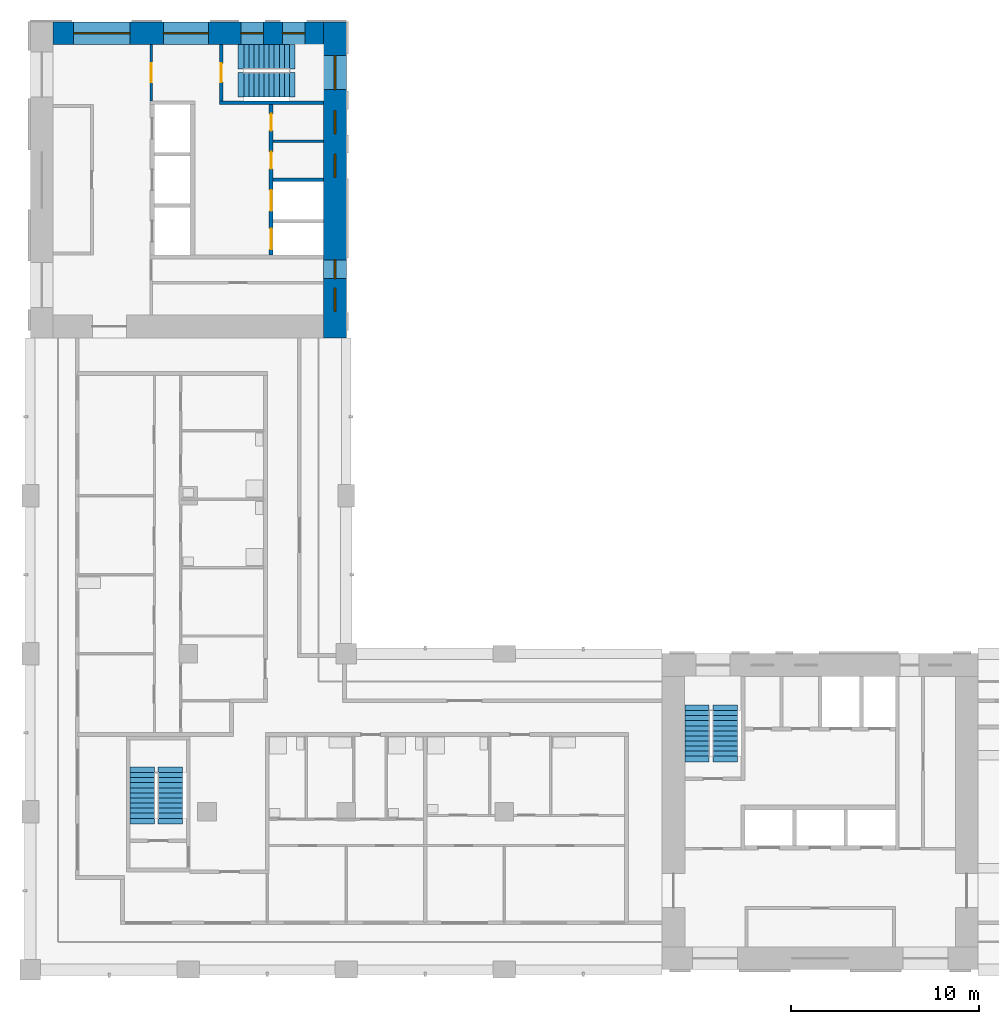
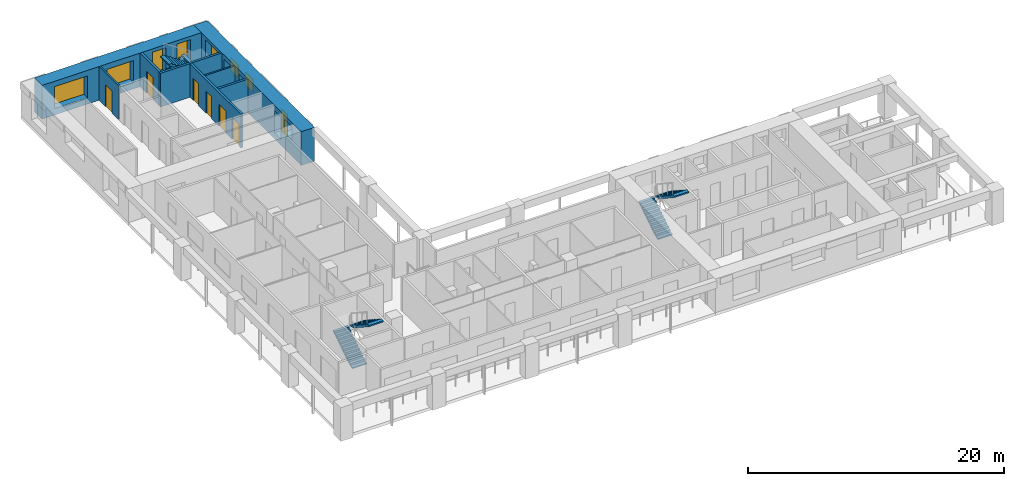
# One storey, part 6 of 10: 9 windows, 8 walls, 6 doors, 6 stair flights, 15 openings, 3 elements without a shape of their own.
"""IFC4 building model written with IfcOpenShell, lengths in metres."""

from ifc_helpers import new_model, si_unit, direction, frame, frame_2d, origin, place, context, subcontext, project, spatial, polyline, rectangle, outline, extrude, material, layer, layer_set, type_object, element, fill, aggregate, save


model = new_model("IFC4")

# Units and contexts
model_context = context("Model", 3, precision=1e-05, world=origin(), true_north=direction((0.0, 1.0)))
body_context = subcontext(model_context, "Body", "Model", "MODEL_VIEW")
ifc_project = project(units=[si_unit("LENGTHUNIT", "METRE"), si_unit("AREAUNIT", "SQUARE_METRE"), si_unit("VOLUMEUNIT", "CUBIC_METRE"), si_unit("PLANEANGLEUNIT", "RADIAN"), si_unit("MASSUNIT", "GRAM", prefix="KILO")], contexts=[model_context])

# Site, building, storey
site_placement = place(None, origin())
site = spatial("IfcSite", under=ifc_project, at=site_placement, CompositionType="ELEMENT")
building_placement = place(site_placement, origin())
building = spatial("IfcBuilding", under=site, at=building_placement, Name="Vermilion Gate Residences", CompositionType="ELEMENT")
storey_placement = place(building_placement, frame((0.0, 0.0, 175.699951171875)))
storey = spatial("IfcBuildingStorey", under=building, at=storey_placement, Name="L45", CompositionType="ELEMENT", Elevation=175.699951171875)

# Wall
ifc_material_1 = material(Name="Masonry blockwork", Category="masonry")
ifc_layer_1 = layer(ifc_material_1, 0.14990234375)
ifc_layer_set_1 = layer_set([ifc_layer_1], Name="BLOCKWORK PARTITION 150 EI 120")
wall_type_1 = type_object("IfcWallType", Name="BLOCKWORK PARTITION 150 EI 120", PredefinedType="PARTITIONING", material=ifc_layer_set_1)
wall_1_placement = place(storey_placement, frame((21.300048828125, 52.449951171875, 0.0), z_axis=(0.0, 0.0, 1.0), x_axis=(1.0, 0.0, 0.0)))
element("IfcWall", 1, at=wall_1_placement, inside=storey, type_object=wall_type_1, Name="Core room partition B45-NR-P0", PredefinedType="PARTITIONING", context=body_context, shape_type="SweptSolid", body=[
    extrude(rectangle(XDim=2.699951171875, YDim=0.14990234375, at=frame_2d((1.35009765625, 0.0))), origin(), (0.0, 0.0, 1.0), 3.219970703125),
])

# Wall, opening, door
wall_2_placement = place(storey_placement, frame((14.824951171875, 57.60009765625, 0.0), z_axis=(0.0, 0.0, 1.0), x_axis=(0.0, -1.0, 0.0)))
wall_2 = element("IfcWall", 2, at=wall_2_placement, inside=storey, type_object=wall_type_1, Name="Core room partition B45-VW-S", PredefinedType="PARTITIONING", context=body_context, shape_type="SweptSolid", body=[
    extrude(rectangle(XDim=3.0, YDim=0.14990234375, at=frame_2d((1.5, 0.0))), origin(), (0.0, 0.0, 1.0), 3.219970703125),
])
opening_1_placement = place(wall_2_placement, frame((1.0, 0.0, 0.0)))
opening_1 = element("IfcOpeningElement", 3, at=opening_1_placement, cuts=wall_2, Name="Opening DK45110", PredefinedType="OPENING", context=body_context, shape_type="SweptSolid", body=[
    extrude(rectangle(XDim=1.0, YDim=2.10009765625, at=frame_2d((0.5, 1.050048828125))), frame((0.0, 0.0849609375, 0.0), z_axis=(0.0, -1.0, 0.0), x_axis=(1.0, 0.0, 0.0)), (0.0, 0.0, 1.0), 0.169921875),
])
ifc_material_2 = material(Name="Steel", Category="steel")
door_type_1 = type_object("IfcDoorType", Name="FIRE DOOR FD60 1000 X 2100", OperationType="SINGLE_SWING_LEFT", PredefinedType="DOOR", material=ifc_material_2)
door_1_placement = place(opening_1_placement, frame((1.0, 0.0, 0.0), z_axis=(0.0, 0.0, 1.0), x_axis=(-1.0, 0.0, 0.0)))
door_1 = element("IfcDoor", 4, at=door_1_placement, inside=storey, type_object=door_type_1, Name="Stair vestibule door B45", OperationType="SINGLE_SWING_RIGHT", OverallHeight=2.10009765625, OverallWidth=1.0, PredefinedType="DOOR", context=body_context, shape_type="SweptSolid", body=[
    extrude(rectangle(XDim=1.0, YDim=2.10009765625, at=frame_2d((0.5, 1.050048828125))), frame((0.0, 0.02490234375, 0.0), z_axis=(0.0, -1.0, 0.0), x_axis=(1.0, 0.0, 0.0)), (0.0, 0.0, 1.0), 0.050048828125),
])
fill(opening_1, door_1)

# Wall
ifc_material_3 = material(Name="Concrete C60", Category="concrete")
ifc_layer_2 = layer(ifc_material_3, 0.199951171875)
ifc_layer_set_2 = layer_set([ifc_layer_2], Name="RC CORE INTERNAL WALL 200 C60")
wall_type_2 = type_object("IfcWallType", Name="RC CORE INTERNAL WALL 200 C60", PredefinedType="SHEAR", material=ifc_layer_set_2)
wall_3_placement = place(storey_placement, frame((21.300048828125, 50.39990234375, 0.0), z_axis=(0.0, 0.0, 1.0), x_axis=(1.0, 0.0, 0.0)))
element("IfcWall", 5, at=wall_3_placement, inside=storey, type_object=wall_type_2, Name="Core internal wall B45-FF-D0", PredefinedType="SHEAR", context=body_context, shape_type="SweptSolid", body=[
    extrude(rectangle(XDim=2.699951171875, YDim=0.199951171875, at=frame_2d((1.35009765625, 0.0))), origin(), (0.0, 0.0, 1.0), 3.219970703125),
])

# Wall, openings, doors
wall_4_placement = place(storey_placement, frame((21.199951171875, 54.39990234375, 0.0), z_axis=(0.0, 0.0, 1.0), x_axis=(0.0, -1.0, 0.0)))
wall_4 = element("IfcWall", 6, at=wall_4_placement, inside=storey, type_object=wall_type_2, Name="Core internal wall B45-FF-F", PredefinedType="SHEAR", context=body_context, shape_type="SweptSolid", body=[
    extrude(rectangle(XDim=8.0, YDim=0.199951171875, at=frame_2d((4.0, 0.0))), origin(), (0.0, 0.0, 1.0), 3.219970703125),
])
opening_2_placement = place(wall_4_placement, frame((0.487548828125, 0.0, 0.0)))
opening_2 = element("IfcOpeningElement", 7, at=opening_2_placement, cuts=wall_4, Name="Opening DK45106", PredefinedType="OPENING", context=body_context, shape_type="SweptSolid", body=[
    extrude(rectangle(XDim=0.89990234375, YDim=2.10009765625, at=frame_2d((0.449951171875, 1.050048828125))), frame((0.0, 0.10986328125, 0.0), z_axis=(0.0, -1.0, 0.0), x_axis=(1.0, 0.0, 0.0)), (0.0, 0.0, 1.0), 0.219970703125),
])
opening_3_placement = place(wall_4_placement, frame((2.512451171875, 0.0, 0.0)))
opening_3 = element("IfcOpeningElement", 8, at=opening_3_placement, cuts=wall_4, Name="Opening DK45107", PredefinedType="OPENING", context=body_context, shape_type="SweptSolid", body=[
    extrude(rectangle(XDim=0.89990234375, YDim=2.10009765625, at=frame_2d((0.449951171875, 1.050048828125))), frame((0.0, 0.10986328125, 0.0), z_axis=(0.0, -1.0, 0.0), x_axis=(1.0, 0.0, 0.0)), (0.0, 0.0, 1.0), 0.219970703125),
])
opening_4_placement = place(wall_4_placement, frame((4.550048828125, 0.0, 0.0)))
opening_4 = element("IfcOpeningElement", 9, at=opening_4_placement, cuts=wall_4, Name="Opening LD", PredefinedType="OPENING", context=body_context, shape_type="SweptSolid", body=[
    extrude(rectangle(XDim=1.10009765625, YDim=2.10009765625, at=frame_2d((0.550048828125, 1.050048828125))), frame((0.0, 0.10986328125, 0.0), z_axis=(0.0, -1.0, 0.0), x_axis=(1.0, 0.0, 0.0)), (0.0, 0.0, 1.0), 0.219970703125),
])
opening_5_placement = place(wall_4_placement, frame((6.60009765625, 0.0, 0.0)))
opening_5 = element("IfcOpeningElement", 10, at=opening_5_placement, cuts=wall_4, Name="Opening LD", PredefinedType="OPENING", context=body_context, shape_type="SweptSolid", body=[
    extrude(rectangle(XDim=1.10009765625, YDim=2.10009765625, at=frame_2d((0.550048828125, 1.050048828125))), frame((0.0, 0.10986328125, 0.0), z_axis=(0.0, -1.0, 0.0), x_axis=(1.0, 0.0, 0.0)), (0.0, 0.0, 1.0), 0.219970703125),
])
ifc_material_4 = material(Name="Stainless steel", Category="steel")
door_type_2 = type_object("IfcDoorType", Name="LIFT LANDING DOOR E60 1100 X 2100", OperationType="DOUBLE_DOOR_SLIDING", PredefinedType="DOOR", material=ifc_material_4)
door_2_placement = place(opening_4_placement, origin())
door_2 = element("IfcDoor", 11, at=door_2_placement, inside=storey, type_object=door_type_2, Name="Lift landing door LFB1", OperationType="DOUBLE_DOOR_SLIDING", OverallHeight=2.10009765625, OverallWidth=1.10009765625, PredefinedType="DOOR", context=body_context, shape_type="SweptSolid", body=[
    extrude(rectangle(XDim=1.10009765625, YDim=2.10009765625, at=frame_2d((0.550048828125, 1.050048828125))), frame((0.0, 0.02490234375, 0.0), z_axis=(0.0, -1.0, 0.0), x_axis=(1.0, 0.0, 0.0)), (0.0, 0.0, 1.0), 0.050048828125),
])
fill(opening_4, door_2)
door_3_placement = place(opening_5_placement, origin())
door_3 = element("IfcDoor", 12, at=door_3_placement, inside=storey, type_object=door_type_2, Name="Lift landing door LCB1", OperationType="DOUBLE_DOOR_SLIDING", OverallHeight=2.10009765625, OverallWidth=1.10009765625, PredefinedType="DOOR", context=body_context, shape_type="SweptSolid", body=[
    extrude(rectangle(XDim=1.10009765625, YDim=2.10009765625, at=frame_2d((0.550048828125, 1.050048828125))), frame((0.0, 0.02490234375, 0.0), z_axis=(0.0, -1.0, 0.0), x_axis=(1.0, 0.0, 0.0)), (0.0, 0.0, 1.0), 0.050048828125),
])
fill(opening_5, door_3)
ifc_material_5 = material(Name="Steel", Category="steel")
door_type_3 = type_object("IfcDoorType", Name="SERVICE ROOM DOOR FD60 900 X 2100", OperationType="SINGLE_SWING_LEFT", PredefinedType="DOOR", material=ifc_material_5)
door_4_placement = place(opening_2_placement, origin())
door_4 = element("IfcDoor", 13, at=door_4_placement, inside=storey, type_object=door_type_3, Name="Parcel room B45", OperationType="SINGLE_SWING_RIGHT", OverallHeight=2.10009765625, OverallWidth=0.89990234375, PredefinedType="DOOR", context=body_context, shape_type="SweptSolid", body=[
    extrude(rectangle(XDim=0.89990234375, YDim=2.10009765625, at=frame_2d((0.449951171875, 1.050048828125))), frame((0.0, 0.02490234375, 0.0), z_axis=(0.0, -1.0, 0.0), x_axis=(1.0, 0.0, 0.0)), (0.0, 0.0, 1.0), 0.050048828125),
])
fill(opening_2, door_4)
door_5_placement = place(opening_3_placement, frame((0.89990234375, 0.0, 0.0), z_axis=(0.0, 0.0, 1.0), x_axis=(-1.0, 0.0, 0.0)))
door_5 = element("IfcDoor", 14, at=door_5_placement, inside=storey, type_object=door_type_3, Name="Electrical room B45", OperationType="SINGLE_SWING_RIGHT", OverallHeight=2.10009765625, OverallWidth=0.89990234375, PredefinedType="DOOR", context=body_context, shape_type="SweptSolid", body=[
    extrude(rectangle(XDim=0.89990234375, YDim=2.10009765625, at=frame_2d((0.449951171875, 1.050048828125))), frame((0.0, 0.02490234375, 0.0), z_axis=(0.0, -1.0, 0.0), x_axis=(1.0, 0.0, 0.0)), (0.0, 0.0, 1.0), 0.050048828125),
])
fill(opening_3, door_5)

# Wall
wall_5_placement = place(storey_placement, frame((18.449951171875, 54.5, 0.0), z_axis=(0.0, 0.0, 1.0), x_axis=(1.0, 0.0, 0.0)))
element("IfcWall", 15, at=wall_5_placement, inside=storey, type_object=wall_type_2, Name="Core internal wall B45-WDIV2", PredefinedType="SHEAR", context=body_context, shape_type="SweptSolid", body=[
    extrude(rectangle(XDim=5.550048828125, YDim=0.199951171875, at=frame_2d((2.77490234375, 0.0))), origin(), (0.0, 0.0, 1.0), 3.219970703125),
])

# Wall, opening, door
wall_6_placement = place(storey_placement, frame((18.550048828125, 57.60009765625, 0.0), z_axis=(0.0, 0.0, 1.0), x_axis=(0.0, -1.0, 0.0)))
wall_6 = element("IfcWall", 16, at=wall_6_placement, inside=storey, type_object=wall_type_2, Name="Core internal wall B45-STW-S", PredefinedType="SHEAR", context=body_context, shape_type="SweptSolid", body=[
    extrude(rectangle(XDim=3.0, YDim=0.199951171875, at=frame_2d((1.5, 0.0))), origin(), (0.0, 0.0, 1.0), 3.219970703125),
])
opening_6_placement = place(wall_6_placement, frame((1.0, 0.0, 0.0)))
opening_6 = element("IfcOpeningElement", 17, at=opening_6_placement, cuts=wall_6, Name="Opening DK45111", PredefinedType="OPENING", context=body_context, shape_type="SweptSolid", body=[
    extrude(rectangle(XDim=1.0, YDim=2.10009765625, at=frame_2d((0.5, 1.050048828125))), frame((0.0, 0.10986328125, 0.0), z_axis=(0.0, -1.0, 0.0), x_axis=(1.0, 0.0, 0.0)), (0.0, 0.0, 1.0), 0.219970703125),
])
door_6_placement = place(opening_6_placement, origin())
door_6 = element("IfcDoor", 18, at=door_6_placement, inside=storey, type_object=door_type_1, Name="Stair door B45", OperationType="SINGLE_SWING_LEFT", OverallHeight=2.10009765625, OverallWidth=1.0, PredefinedType="DOOR", context=body_context, shape_type="SweptSolid", body=[
    extrude(rectangle(XDim=1.0, YDim=2.10009765625, at=frame_2d((0.5, 1.050048828125))), frame((0.0, 0.02490234375, 0.0), z_axis=(0.0, -1.0, 0.0), x_axis=(1.0, 0.0, 0.0)), (0.0, 0.0, 1.0), 0.050048828125),
])
fill(opening_6, door_6)

# Wall, openings, windows
ifc_material_6 = material(Name="Concrete C60 red-oxide pigmented", Category="concrete")
ifc_layer_3 = layer(ifc_material_6, 1.199951171875)
ifc_layer_set_3 = layer_set([ifc_layer_3], Name="RC CORE WALL 1200 C60 RED OXIDE")
wall_type_3 = type_object("IfcWallType", Name="RC CORE WALL 1200 C60 RED OXIDE", PredefinedType="SHEAR", material=ifc_layer_set_3)
wall_7_placement = place(storey_placement, frame((24.60009765625, 58.800048828125, 0.0), z_axis=(0.0, 0.0, 1.0), x_axis=(0.0, -1.0, 0.0)))
wall_7 = element("IfcWall", 19, at=wall_7_placement, inside=storey, type_object=wall_type_3, Name="Core wall B45-OUT-B1", PredefinedType="SHEAR", context=body_context, shape_type="SweptSolid", body=[
    extrude(rectangle(XDim=16.800048828125, YDim=1.199951171875, at=frame_2d((8.39990234375, 0.0))), origin(), (0.0, 0.0, 1.0), 3.219970703125),
])
opening_7_placement = place(wall_7_placement, frame((1.800048828125, 0.0, 0.5)))
opening_7 = element("IfcOpeningElement", 20, at=opening_7_placement, cuts=wall_7, Name="Opening WKB4504", PredefinedType="OPENING", context=body_context, shape_type="SweptSolid", body=[
    extrude(rectangle(XDim=1.800048828125, YDim=2.39990234375, at=frame_2d((0.89990234375, 1.199951171875))), frame((0.0, 0.60986328125, 0.0), z_axis=(0.0, -1.0, 0.0), x_axis=(1.0, 0.0, 0.0)), (0.0, 0.0, 1.0), 1.219970703125),
])
opening_8_placement = place(wall_7_placement, frame((4.737548828125, 0.0, 1.60009765625)))
opening_8 = element("IfcOpeningElement", 21, at=opening_8_placement, cuts=wall_7, Name="Opening WKB4505", PredefinedType="OPENING", context=body_context, shape_type="SweptSolid", body=[
    extrude(rectangle(XDim=1.199951171875, YDim=1.199951171875, at=frame_2d((0.60009765625, 0.60009765625))), frame((0.0, 0.60986328125, 0.0), z_axis=(0.0, -1.0, 0.0), x_axis=(1.0, 0.0, 0.0)), (0.0, 0.0, 1.0), 1.219970703125),
])
opening_9_placement = place(wall_7_placement, frame((7.050048828125, 0.0, 1.60009765625)))
opening_9 = element("IfcOpeningElement", 22, at=opening_9_placement, cuts=wall_7, Name="Opening WKB4506", PredefinedType="OPENING", context=body_context, shape_type="SweptSolid", body=[
    extrude(rectangle(XDim=1.199951171875, YDim=1.199951171875, at=frame_2d((0.60009765625, 0.60009765625))), frame((0.0, 0.60986328125, 0.0), z_axis=(0.0, -1.0, 0.0), x_axis=(1.0, 0.0, 0.0)), (0.0, 0.0, 1.0), 1.219970703125),
])
opening_10_placement = place(wall_7_placement, frame((12.64990234375, 0.0, 0.60009765625)))
opening_10 = element("IfcOpeningElement", 23, at=opening_10_placement, cuts=wall_7, Name="Opening WKB4507", PredefinedType="OPENING", context=body_context, shape_type="SweptSolid", body=[
    extrude(rectangle(XDim=1.0, YDim=2.10009765625, at=frame_2d((0.5, 1.050048828125))), frame((0.0, 0.60986328125, 0.0), z_axis=(0.0, -1.0, 0.0), x_axis=(1.0, 0.0, 0.0)), (0.0, 0.0, 1.0), 1.219970703125),
])
opening_11_placement = place(wall_7_placement, frame((14.175048828125, 0.0, 1.60009765625)))
opening_11 = element("IfcOpeningElement", 24, at=opening_11_placement, cuts=wall_7, Name="Opening WKB4508", PredefinedType="OPENING", context=body_context, shape_type="SweptSolid", body=[
    extrude(rectangle(XDim=1.199951171875, YDim=1.199951171875, at=frame_2d((0.60009765625, 0.60009765625))), frame((0.0, 0.60986328125, 0.0), z_axis=(0.0, -1.0, 0.0), x_axis=(1.0, 0.0, 0.0)), (0.0, 0.0, 1.0), 1.219970703125),
])
ifc_material_7 = material(Name="Aluminium and clear glass", Category="aluminium")
window_type_1 = type_object("IfcWindowType", Name="CORE CORRIDOR WINDOW 1000 X 2100", PartitioningType="SINGLE_PANEL", PredefinedType="WINDOW", material=ifc_material_7)
window_1_placement = place(opening_10_placement, origin())
window_1 = element("IfcWindow", 25, at=window_1_placement, inside=storey, type_object=window_type_1, Name="Core corridor window", OverallHeight=2.10009765625, OverallWidth=1.0, PartitioningType="SINGLE_PANEL", PredefinedType="WINDOW", context=body_context, shape_type="SweptSolid", body=[
    extrude(rectangle(XDim=1.0, YDim=2.10009765625, at=frame_2d((0.5, 1.050048828125))), frame((0.0, 0.030029296875, 0.0), z_axis=(0.0, -1.0, 0.0), x_axis=(1.0, 0.0, 0.0)), (0.0, 0.0, 1.0), 0.06005859375),
])
fill(opening_10, window_1)
ifc_material_8 = material(Name="Aluminium frame with louvre blades", Category="aluminium")
window_type_2 = type_object("IfcWindowType", Name="CORE LOUVRE 1200 X 1200", PartitioningType="SINGLE_PANEL", PredefinedType="WINDOW", material=ifc_material_8)
window_2_placement = place(opening_8_placement, origin())
window_2 = element("IfcWindow", 26, at=window_2_placement, inside=storey, type_object=window_type_2, Name="Core louvre", OverallHeight=1.199951171875, OverallWidth=1.199951171875, PartitioningType="SINGLE_PANEL", PredefinedType="WINDOW", context=body_context, shape_type="SweptSolid", body=[
    extrude(rectangle(XDim=1.199951171875, YDim=1.199951171875, at=frame_2d((0.60009765625, 0.60009765625))), frame((0.0, 0.030029296875, 0.0), z_axis=(0.0, -1.0, 0.0), x_axis=(1.0, 0.0, 0.0)), (0.0, 0.0, 1.0), 0.06005859375),
])
fill(opening_8, window_2)
window_3_placement = place(opening_9_placement, origin())
window_3 = element("IfcWindow", 27, at=window_3_placement, inside=storey, type_object=window_type_2, Name="Core louvre", OverallHeight=1.199951171875, OverallWidth=1.199951171875, PartitioningType="SINGLE_PANEL", PredefinedType="WINDOW", context=body_context, shape_type="SweptSolid", body=[
    extrude(rectangle(XDim=1.199951171875, YDim=1.199951171875, at=frame_2d((0.60009765625, 0.60009765625))), frame((0.0, 0.030029296875, 0.0), z_axis=(0.0, -1.0, 0.0), x_axis=(1.0, 0.0, 0.0)), (0.0, 0.0, 1.0), 0.06005859375),
])
fill(opening_9, window_3)
window_4_placement = place(opening_11_placement, origin())
window_4 = element("IfcWindow", 28, at=window_4_placement, inside=storey, type_object=window_type_2, Name="Core louvre", OverallHeight=1.199951171875, OverallWidth=1.199951171875, PartitioningType="SINGLE_PANEL", PredefinedType="WINDOW", context=body_context, shape_type="SweptSolid", body=[
    extrude(rectangle(XDim=1.199951171875, YDim=1.199951171875, at=frame_2d((0.60009765625, 0.60009765625))), frame((0.0, 0.030029296875, 0.0), z_axis=(0.0, -1.0, 0.0), x_axis=(1.0, 0.0, 0.0)), (0.0, 0.0, 1.0), 0.06005859375),
])
fill(opening_11, window_4)
ifc_material_9 = material(Name="Aluminium and clear glass", Category="aluminium")
window_type_3 = type_object("IfcWindowType", Name="CORE STAIR WINDOW 1800 X 2400", PartitioningType="SINGLE_PANEL", PredefinedType="WINDOW", material=ifc_material_9)
window_5_placement = place(opening_7_placement, origin())
window_5 = element("IfcWindow", 29, at=window_5_placement, inside=storey, type_object=window_type_3, Name="Core stair window", OverallHeight=2.39990234375, OverallWidth=1.800048828125, PartitioningType="SINGLE_PANEL", PredefinedType="WINDOW", context=body_context, shape_type="SweptSolid", body=[
    extrude(rectangle(XDim=1.800048828125, YDim=2.39990234375, at=frame_2d((0.89990234375, 1.199951171875))), frame((0.0, 0.030029296875, 0.0), z_axis=(0.0, -1.0, 0.0), x_axis=(1.0, 0.0, 0.0)), (0.0, 0.0, 1.0), 0.06005859375),
])
fill(opening_7, window_5)

wall_8_placement = place(storey_placement, frame((9.60009765625, 58.199951171875, 0.0), z_axis=(0.0, 0.0, 1.0), x_axis=(1.0, 0.0, 0.0)))
wall_8 = element("IfcWall", 30, at=wall_8_placement, inside=storey, type_object=wall_type_3, Name="Core wall B45-OUT-FR", PredefinedType="SHEAR", context=body_context, shape_type="SweptSolid", body=[
    extrude(rectangle(XDim=14.39990234375, YDim=1.199951171875, at=frame_2d((7.199951171875, 0.0))), origin(), (0.0, 0.0, 1.0), 3.219970703125),
])
opening_12_placement = place(wall_8_placement, frame((1.10498046875, 0.0, 0.60009765625)))
opening_12 = element("IfcOpeningElement", 31, at=opening_12_placement, cuts=wall_8, Name="Opening WKB4509", PredefinedType="OPENING", context=body_context, shape_type="SweptSolid", body=[
    extrude(rectangle(XDim=3.0, YDim=2.10009765625, at=frame_2d((1.5, 1.050048828125))), frame((0.0, 0.60986328125, 0.0), z_axis=(0.0, -1.0, 0.0), x_axis=(1.0, 0.0, 0.0)), (0.0, 0.0, 1.0), 1.219970703125),
])
opening_13_placement = place(wall_8_placement, frame((5.875, 0.0, 0.60009765625)))
opening_13 = element("IfcOpeningElement", 32, at=opening_13_placement, cuts=wall_8, Name="Opening WKB4510", PredefinedType="OPENING", context=body_context, shape_type="SweptSolid", body=[
    extrude(rectangle(XDim=2.39990234375, YDim=2.10009765625, at=frame_2d((1.199951171875, 1.050048828125))), frame((0.0, 0.60986328125, 0.0), z_axis=(0.0, -1.0, 0.0), x_axis=(1.0, 0.0, 0.0)), (0.0, 0.0, 1.0), 1.219970703125),
])
opening_14_placement = place(wall_8_placement, frame((9.993408203125, 0.0, 0.5)))
opening_14 = element("IfcOpeningElement", 33, at=opening_14_placement, cuts=wall_8, Name="Opening WKB4511", PredefinedType="OPENING", context=body_context, shape_type="SweptSolid", body=[
    extrude(rectangle(XDim=1.199951171875, YDim=2.39990234375, at=frame_2d((0.60009765625, 1.199951171875))), frame((0.0, 0.60986328125, 0.0), z_axis=(0.0, -1.0, 0.0), x_axis=(1.0, 0.0, 0.0)), (0.0, 0.0, 1.0), 1.219970703125),
])
opening_15_placement = place(wall_8_placement, frame((12.19677734375, 0.0, 0.5)))
opening_15 = element("IfcOpeningElement", 34, at=opening_15_placement, cuts=wall_8, Name="Opening WKB4512", PredefinedType="OPENING", context=body_context, shape_type="SweptSolid", body=[
    extrude(rectangle(XDim=1.199951171875, YDim=2.39990234375, at=frame_2d((0.60009765625, 1.199951171875))), frame((0.0, 0.60986328125, 0.0), z_axis=(0.0, -1.0, 0.0), x_axis=(1.0, 0.0, 0.0)), (0.0, 0.0, 1.0), 1.219970703125),
])
ifc_material_10 = material(Name="Aluminium and clear glass", Category="aluminium")
window_type_4 = type_object("IfcWindowType", Name="CORE LOBBY WINDOW 2400 X 2100", PartitioningType="SINGLE_PANEL", PredefinedType="WINDOW", material=ifc_material_10)
window_6_placement = place(opening_13_placement, origin())
window_6 = element("IfcWindow", 35, at=window_6_placement, inside=storey, type_object=window_type_4, Name="Core lobby window", OverallHeight=2.10009765625, OverallWidth=2.39990234375, PartitioningType="SINGLE_PANEL", PredefinedType="WINDOW", context=body_context, shape_type="SweptSolid", body=[
    extrude(rectangle(XDim=2.39990234375, YDim=2.10009765625, at=frame_2d((1.199951171875, 1.050048828125))), frame((0.0, 0.030029296875, 0.0), z_axis=(0.0, -1.0, 0.0), x_axis=(1.0, 0.0, 0.0)), (0.0, 0.0, 1.0), 0.06005859375),
])
fill(opening_13, window_6)
ifc_material_11 = material(Name="Aluminium and clear glass", Category="aluminium")
window_type_5 = type_object("IfcWindowType", Name="CORE LOBBY WINDOW 3000 X 2100", PartitioningType="SINGLE_PANEL", PredefinedType="WINDOW", material=ifc_material_11)
window_7_placement = place(opening_12_placement, origin())
window_7 = element("IfcWindow", 36, at=window_7_placement, inside=storey, type_object=window_type_5, Name="Core lobby window", OverallHeight=2.10009765625, OverallWidth=3.0, PartitioningType="SINGLE_PANEL", PredefinedType="WINDOW", context=body_context, shape_type="SweptSolid", body=[
    extrude(rectangle(XDim=3.0, YDim=2.10009765625, at=frame_2d((1.5, 1.050048828125))), frame((0.0, 0.030029296875, 0.0), z_axis=(0.0, -1.0, 0.0), x_axis=(1.0, 0.0, 0.0)), (0.0, 0.0, 1.0), 0.06005859375),
])
fill(opening_12, window_7)
ifc_material_12 = material(Name="Aluminium and clear glass", Category="aluminium")
window_type_6 = type_object("IfcWindowType", Name="CORE STAIR WINDOW 1200 X 2400", PartitioningType="SINGLE_PANEL", PredefinedType="WINDOW", material=ifc_material_12)
window_8_placement = place(opening_14_placement, origin())
window_8 = element("IfcWindow", 37, at=window_8_placement, inside=storey, type_object=window_type_6, Name="Core stair window", OverallHeight=2.39990234375, OverallWidth=1.199951171875, PartitioningType="SINGLE_PANEL", PredefinedType="WINDOW", context=body_context, shape_type="SweptSolid", body=[
    extrude(rectangle(XDim=1.199951171875, YDim=2.39990234375, at=frame_2d((0.60009765625, 1.199951171875))), frame((0.0, 0.030029296875, 0.0), z_axis=(0.0, -1.0, 0.0), x_axis=(1.0, 0.0, 0.0)), (0.0, 0.0, 1.0), 0.06005859375),
])
fill(opening_14, window_8)
window_9_placement = place(opening_15_placement, origin())
window_9 = element("IfcWindow", 38, at=window_9_placement, inside=storey, type_object=window_type_6, Name="Core stair window", OverallHeight=2.39990234375, OverallWidth=1.199951171875, PartitioningType="SINGLE_PANEL", PredefinedType="WINDOW", context=body_context, shape_type="SweptSolid", body=[
    extrude(rectangle(XDim=1.199951171875, YDim=2.39990234375, at=frame_2d((0.60009765625, 1.199951171875))), frame((0.0, 0.030029296875, 0.0), z_axis=(0.0, -1.0, 0.0), x_axis=(1.0, 0.0, 0.0)), (0.0, 0.0, 1.0), 0.06005859375),
])
fill(opening_15, window_9)

# Stair, stair flights
ifc_material_13 = material(Name="Concrete C50", Category="concrete")
stair_type = type_object("IfcStairType", Name="SPECIAL ESCAPE STAIR 1300", PredefinedType="HALF_TURN_STAIR", material=ifc_material_13)
stair_1_placement = place(storey_placement, origin())
stair_1 = element("IfcStair", 39, at=stair_1_placement, inside=storey, type_object=stair_type, Name="Special escape stair STA1-45", PredefinedType="HALF_TURN_STAIR")
ifc_material_14 = material(Name="Concrete C50", Category="concrete")
stair_flight_type = type_object("IfcStairFlightType", Name="STAIR FLIGHT 1300 RC C50", PredefinedType="STRAIGHT", material=ifc_material_14)
stair_flight_1_placement = place(storey_placement, frame((43.85009765625, 19.75, 0.0), z_axis=(0.0, 0.0, 1.0), x_axis=(0.0, 1.0, 0.0)))
stair_flight_1 = element("IfcStairFlight", 40, at=stair_flight_1_placement, type_object=stair_flight_type, Name="STA1-45 flight 1", NumberOfRisers=10, NumberOfTreads=9, PredefinedType="STRAIGHT", RiserHeight=0.175, TreadLength=0.27, context=body_context, shape_type="SweptSolid", body=[
    extrude(outline(polyline([(-0.300048828125, -0.14990234375), (-0.300048828125, -0.030029296875), (0.0, 0.0), (0.0, 0.175048828125), (0.27001953125, 0.175048828125), (0.27001953125, 0.35009765625), (0.5400390625, 0.35009765625), (0.5400390625, 0.52490234375), (0.81005859375, 0.52490234375), (0.81005859375, 0.699951171875), (1.080078125, 0.699951171875), (1.080078125, 0.875), (1.35009765625, 0.875), (1.35009765625, 1.050048828125), (1.6201171875, 1.050048828125), (1.6201171875, 1.22509765625), (1.889892578125, 1.22509765625), (1.889892578125, 1.39990234375), (2.159912109375, 1.39990234375), (2.159912109375, 1.574951171875), (2.429931640625, 1.574951171875), (2.429931640625, 1.75), (2.72998046875, 1.719970703125), (2.72998046875, 1.60009765625), (2.429931640625, 1.396484375), (0.275634765625, 0.0), (-0.300048828125, -0.14990234375)])), frame((0.0, 0.64990234375, 0.0), z_axis=(0.0, -1.0, 0.0), x_axis=(1.0, 0.0, 0.0)), (0.0, 0.0, 1.0), 1.300048828125),
])
stair_flight_2_placement = place(storey_placement, frame((45.35009765625, 22.179931640625, 1.75), z_axis=(0.0, 0.0, 1.0), x_axis=(0.0, -1.0, 0.0)))
stair_flight_2 = element("IfcStairFlight", 41, at=stair_flight_2_placement, type_object=stair_flight_type, Name="STA1-45 flight 2", NumberOfRisers=10, NumberOfTreads=9, PredefinedType="STRAIGHT", RiserHeight=0.175, TreadLength=0.27, context=body_context, shape_type="SweptSolid", body=[
    extrude(outline(polyline([(-0.300048828125, -0.14990234375), (-0.300048828125, -0.030029296875), (0.0, 0.0), (0.0, 0.175048828125), (0.27001953125, 0.175048828125), (0.27001953125, 0.35009765625), (0.5400390625, 0.35009765625), (0.5400390625, 0.52490234375), (0.81005859375, 0.52490234375), (0.81005859375, 0.699951171875), (1.080078125, 0.699951171875), (1.080078125, 0.875), (1.35009765625, 0.875), (1.35009765625, 1.050048828125), (1.6201171875, 1.050048828125), (1.6201171875, 1.22509765625), (1.889892578125, 1.22509765625), (1.889892578125, 1.39990234375), (2.159912109375, 1.39990234375), (2.159912109375, 1.574951171875), (2.429931640625, 1.574951171875), (2.429931640625, 1.75), (2.72998046875, 1.719970703125), (2.72998046875, 1.60009765625), (2.429931640625, 1.396484375), (0.275634765625, 0.0), (-0.300048828125, -0.14990234375)])), frame((0.0, 0.64990234375, 0.0), z_axis=(0.0, -1.0, 0.0), x_axis=(1.0, 0.0, 0.0)), (0.0, 0.0, 1.0), 1.300048828125),
])
aggregate(stair_1, [stair_flight_1, stair_flight_2])

stair_2_placement = place(storey_placement, origin())
stair_2 = element("IfcStair", 42, at=stair_2_placement, inside=storey, type_object=stair_type, Name="Special escape stair STB1-45", PredefinedType="HALF_TURN_STAIR")
stair_flight_3_placement = place(storey_placement, frame((19.75, 56.949951171875, 0.0), z_axis=(0.0, 0.0, 1.0), x_axis=(1.0, 0.0, 0.0)))
stair_flight_3 = element("IfcStairFlight", 43, at=stair_flight_3_placement, type_object=stair_flight_type, Name="STB1-45 flight 1", NumberOfRisers=10, NumberOfTreads=9, PredefinedType="STRAIGHT", RiserHeight=0.175, TreadLength=0.27, context=body_context, shape_type="SweptSolid", body=[
    extrude(outline(polyline([(-0.300048828125, -0.14990234375), (-0.300048828125, -0.030029296875), (0.0, 0.0), (0.0, 0.175048828125), (0.27001953125, 0.175048828125), (0.27001953125, 0.35009765625), (0.5400390625, 0.35009765625), (0.5400390625, 0.52490234375), (0.81005859375, 0.52490234375), (0.81005859375, 0.699951171875), (1.080078125, 0.699951171875), (1.080078125, 0.875), (1.35009765625, 0.875), (1.35009765625, 1.050048828125), (1.6201171875, 1.050048828125), (1.6201171875, 1.22509765625), (1.889892578125, 1.22509765625), (1.889892578125, 1.39990234375), (2.159912109375, 1.39990234375), (2.159912109375, 1.574951171875), (2.429931640625, 1.574951171875), (2.429931640625, 1.75), (2.72998046875, 1.719970703125), (2.72998046875, 1.60009765625), (2.429931640625, 1.396484375), (0.275634765625, 0.0), (-0.300048828125, -0.14990234375)])), frame((0.0, 0.64990234375, 0.0), z_axis=(0.0, -1.0, 0.0), x_axis=(1.0, 0.0, 0.0)), (0.0, 0.0, 1.0), 1.300048828125),
])
stair_flight_4_placement = place(storey_placement, frame((22.179931640625, 55.449951171875, 1.75), z_axis=(0.0, 0.0, 1.0), x_axis=(-1.0, 0.0, 0.0)))
stair_flight_4 = element("IfcStairFlight", 44, at=stair_flight_4_placement, type_object=stair_flight_type, Name="STB1-45 flight 2", NumberOfRisers=10, NumberOfTreads=9, PredefinedType="STRAIGHT", RiserHeight=0.175, TreadLength=0.27, context=body_context, shape_type="SweptSolid", body=[
    extrude(outline(polyline([(-0.300048828125, -0.14990234375), (-0.300048828125, -0.030029296875), (0.0, 0.0), (0.0, 0.175048828125), (0.27001953125, 0.175048828125), (0.27001953125, 0.35009765625), (0.5400390625, 0.35009765625), (0.5400390625, 0.52490234375), (0.81005859375, 0.52490234375), (0.81005859375, 0.699951171875), (1.080078125, 0.699951171875), (1.080078125, 0.875), (1.35009765625, 0.875), (1.35009765625, 1.050048828125), (1.6201171875, 1.050048828125), (1.6201171875, 1.22509765625), (1.889892578125, 1.22509765625), (1.889892578125, 1.39990234375), (2.159912109375, 1.39990234375), (2.159912109375, 1.574951171875), (2.429931640625, 1.574951171875), (2.429931640625, 1.75), (2.72998046875, 1.719970703125), (2.72998046875, 1.60009765625), (2.429931640625, 1.396484375), (0.275634765625, 0.0), (-0.300048828125, -0.14990234375)])), frame((0.0, 0.64990234375, 0.0), z_axis=(0.0, -1.0, 0.0), x_axis=(1.0, 0.0, 0.0)), (0.0, 0.0, 1.0), 1.300048828125),
])
aggregate(stair_2, [stair_flight_3, stair_flight_4])

stair_3_placement = place(storey_placement, origin())
stair_3 = element("IfcStair", 45, at=stair_3_placement, inside=storey, type_object=stair_type, Name="Special escape stair STC1-45", PredefinedType="HALF_TURN_STAIR")
stair_flight_5_placement = place(storey_placement, frame((14.35009765625, 16.449951171875, 0.0), z_axis=(0.0, 0.0, 1.0), x_axis=(0.0, 1.0, 0.0)))
stair_flight_5 = element("IfcStairFlight", 46, at=stair_flight_5_placement, type_object=stair_flight_type, Name="STC1-45 flight 1", NumberOfRisers=10, NumberOfTreads=9, PredefinedType="STRAIGHT", RiserHeight=0.175, TreadLength=0.27, context=body_context, shape_type="SweptSolid", body=[
    extrude(outline(polyline([(-0.300048828125, -0.14990234375), (-0.300048828125, -0.030029296875), (0.0, 0.0), (0.0, 0.175048828125), (0.27001953125, 0.175048828125), (0.27001953125, 0.35009765625), (0.5400390625, 0.35009765625), (0.5400390625, 0.52490234375), (0.81005859375, 0.52490234375), (0.81005859375, 0.699951171875), (1.080078125, 0.699951171875), (1.080078125, 0.875), (1.35009765625, 0.875), (1.35009765625, 1.050048828125), (1.6201171875, 1.050048828125), (1.6201171875, 1.22509765625), (1.889892578125, 1.22509765625), (1.889892578125, 1.39990234375), (2.159912109375, 1.39990234375), (2.159912109375, 1.574951171875), (2.429931640625, 1.574951171875), (2.429931640625, 1.75), (2.72998046875, 1.719970703125), (2.72998046875, 1.60009765625), (2.429931640625, 1.396484375), (0.275634765625, 0.0), (-0.300048828125, -0.14990234375)])), frame((0.0, 0.64990234375, 0.0), z_axis=(0.0, -1.0, 0.0), x_axis=(1.0, 0.0, 0.0)), (0.0, 0.0, 1.0), 1.300048828125),
])
stair_flight_6_placement = place(storey_placement, frame((15.85009765625, 18.8798828125, 1.75), z_axis=(0.0, 0.0, 1.0), x_axis=(0.0, -1.0, 0.0)))
stair_flight_6 = element("IfcStairFlight", 47, at=stair_flight_6_placement, type_object=stair_flight_type, Name="STC1-45 flight 2", NumberOfRisers=10, NumberOfTreads=9, PredefinedType="STRAIGHT", RiserHeight=0.175, TreadLength=0.27, context=body_context, shape_type="SweptSolid", body=[
    extrude(outline(polyline([(-0.300048828125, -0.14990234375), (-0.300048828125, -0.030029296875), (0.0, 0.0), (0.0, 0.175048828125), (0.27001953125, 0.175048828125), (0.27001953125, 0.35009765625), (0.5400390625, 0.35009765625), (0.5400390625, 0.52490234375), (0.81005859375, 0.52490234375), (0.81005859375, 0.699951171875), (1.080078125, 0.699951171875), (1.080078125, 0.875), (1.35009765625, 0.875), (1.35009765625, 1.050048828125), (1.6201171875, 1.050048828125), (1.6201171875, 1.22509765625), (1.889892578125, 1.22509765625), (1.889892578125, 1.39990234375), (2.159912109375, 1.39990234375), (2.159912109375, 1.574951171875), (2.429931640625, 1.574951171875), (2.429931640625, 1.75), (2.72998046875, 1.719970703125), (2.72998046875, 1.60009765625), (2.429931640625, 1.396484375), (0.275634765625, 0.0), (-0.300048828125, -0.14990234375)])), frame((0.0, 0.64990234375, 0.0), z_axis=(0.0, -1.0, 0.0), x_axis=(1.0, 0.0, 0.0)), (0.0, 0.0, 1.0), 1.300048828125),
])
aggregate(stair_3, [stair_flight_5, stair_flight_6])

save(model, "model.ifc")
